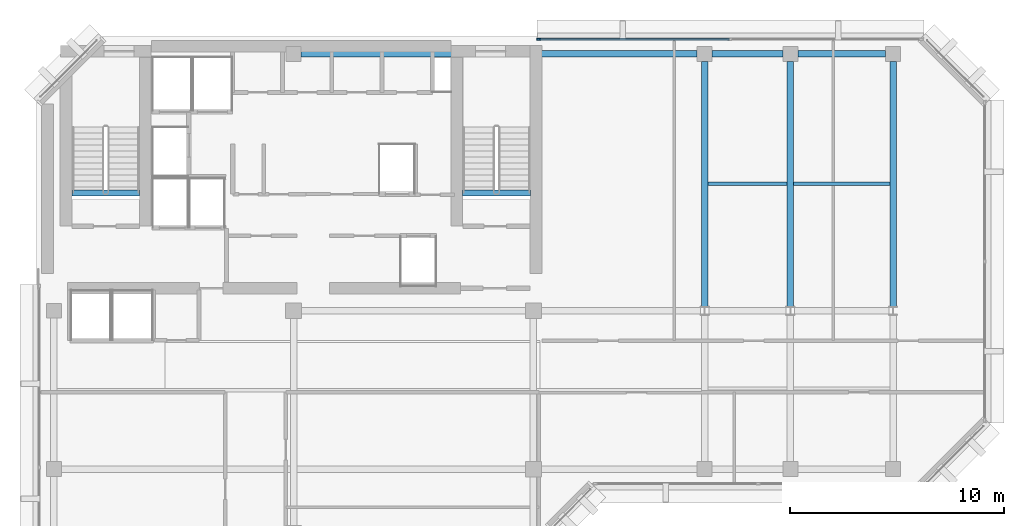
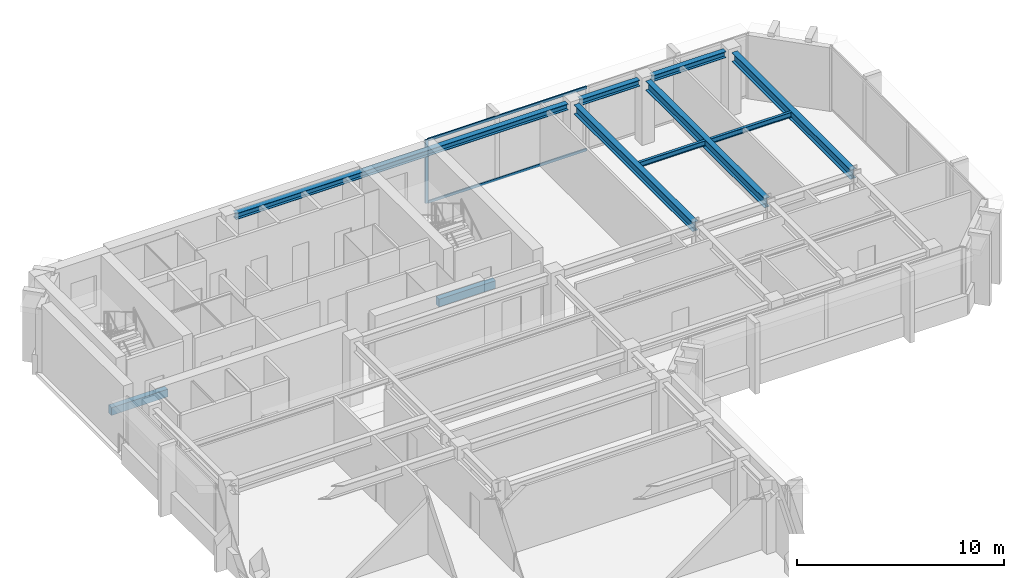
# One storey, part 4 of 11: 10 beams, 3 members, 1 element without a shape of its own.
"""IFC4 building model written with IfcOpenShell, lengths in metres."""

from ifc_helpers import new_model, si_unit, direction, frame, origin, origin_2d, place, context, subcontext, project, spatial, rectangle, i_section, extrude, material, layer, layer_set, material_profile, profile_set, type_object, element, aggregate, save


model = new_model("IFC4")

# Units and contexts
model_context = context("Model", 3, precision=1e-05, world=origin(), true_north=direction((0.0, 1.0)))
body_context = subcontext(model_context, "Body", "Model", "MODEL_VIEW")
ifc_project = project(units=[si_unit("LENGTHUNIT", "METRE"), si_unit("AREAUNIT", "SQUARE_METRE"), si_unit("VOLUMEUNIT", "CUBIC_METRE"), si_unit("PLANEANGLEUNIT", "RADIAN"), si_unit("MASSUNIT", "GRAM", prefix="KILO")], contexts=[model_context])

# Site, building, storey
site_placement = place(None, origin())
site = spatial("IfcSite", under=ifc_project, at=site_placement, CompositionType="ELEMENT")
building_placement = place(site_placement, origin())
building = spatial("IfcBuilding", under=site, at=building_placement, Name="Kefirva Bronze Tower", CompositionType="ELEMENT")
storey_placement = place(building_placement, frame((0.0, 0.0, 303.929931640625)))
storey = spatial("IfcBuildingStorey", under=building, at=storey_placement, Name="L74", CompositionType="ELEMENT", Elevation=303.929931640625)

# Curtain wall, members
ifc_material_1 = material(Name="Bronze anodised aluminium", Category="aluminium")
ifc_layer = layer(ifc_material_1, 0.179931640625, Name="Bronze anodised aluminium")
ifc_layer_set = layer_set([ifc_layer], Name="Bronze anodised aluminium")
curtain_wall_type = type_object("IfcCurtainWallType", Name="Unitised Bronze Ribbon Curtain Wall Zone 4", PredefinedType="USERDEFINED", material=ifc_layer_set)
curtain_wall_placement = place(storey_placement, origin())
curtain_wall = element("IfcCurtainWall", 1, at=curtain_wall_placement, inside=storey, type_object=curtain_wall_type, Name="L74 Curtain Wall 4", ObjectType="UNITISED CURTAIN WALL", PredefinedType="USERDEFINED")
ifc_material_profile_1 = material_profile(ifc_material_1, rectangle(XDim=0.074951171875, YDim=0.179931640625, at=origin_2d()), Name="ALU 75x180")
ifc_profile_set_1 = profile_set([ifc_material_profile_1], Name="Bronze anodised aluminium")
member_type_1 = type_object("IfcMemberType", Name="Bronze Mullion 75x180", PredefinedType="MULLION", material=ifc_profile_set_1)
member_1_placement = place(storey_placement, frame((23.4423828125, 45.8798828125, 0.0), z_axis=(0.0, 0.0, 1.0), x_axis=(0.0, -1.0, 0.0)))
member_1 = element("IfcMember", 2, at=member_1_placement, type_object=member_type_1, Name="CW-04 mullion 3", PredefinedType="MULLION", context=body_context, shape_type="SweptSolid", body=[
    extrude(rectangle(XDim=0.074951171875, YDim=0.179931640625, at=origin_2d()), origin(), (0.0, 0.0, 1.0), 3.739990234375),
])
ifc_material_profile_2 = material_profile(ifc_material_1, rectangle(XDim=0.074951171875, YDim=0.14990234375, at=origin_2d()), Name="ALU 75x150")
ifc_profile_set_2 = profile_set([ifc_material_profile_2], Name="Bronze anodised aluminium")
member_type_2 = type_object("IfcMemberType", Name="Bronze Transom 75x150", PredefinedType="USERDEFINED", material=ifc_profile_set_2)
member_2_placement = place(storey_placement, frame((32.33740234375, 45.8798828125, 0.03759765625), z_axis=(-1.0, 0.0, 0.0), x_axis=(0.0, -1.0, 0.0)))
member_2 = element("IfcMember", 3, at=member_2_placement, type_object=member_type_2, Name="CW-04 transom 2.1", ObjectType="TRANSOM", PredefinedType="USERDEFINED", context=body_context, shape_type="SweptSolid", body=[
    extrude(rectangle(XDim=0.074951171875, YDim=0.14990234375, at=origin_2d()), origin(), (0.0, 0.0, 1.0), 8.857421875),
])
member_3_placement = place(storey_placement, frame((32.33740234375, 45.8798828125, 3.70263671875), z_axis=(-1.0, 0.0, 0.0), x_axis=(0.0, -1.0, 0.0)))
member_3 = element("IfcMember", 4, at=member_3_placement, type_object=member_type_2, Name="CW-04 transom 2.2", ObjectType="TRANSOM", PredefinedType="USERDEFINED", context=body_context, shape_type="SweptSolid", body=[
    extrude(rectangle(XDim=0.074951171875, YDim=0.14990234375, at=origin_2d()), origin(), (0.0, 0.0, 1.0), 8.857421875),
])
aggregate(curtain_wall, [member_1, member_2, member_3])

# Beams
ifc_material_2 = material(Name="Concrete C50/60", Category="concrete")
ifc_material_profile_3 = material_profile(ifc_material_2, rectangle(XDim=0.300048828125, YDim=0.449951171875, at=origin_2d()), Name="RC 300x450")
ifc_profile_set_3 = profile_set([ifc_material_profile_3], Name="Concrete C50/60")
beam_type_1 = type_object("IfcBeamType", Name="RC Stair Trimmer Beam 300x450", PredefinedType="BEAM", material=ifc_profile_set_3)
beam_1_placement = place(storey_placement, frame((1.64501953125, 38.699951171875, -0.224853515625), z_axis=(1.0, 0.0, 0.0), x_axis=(0.0, 1.0, 0.0)))
element("IfcBeam", 5, at=beam_1_placement, inside=storey, type_object=beam_type_1, Name="L74 Stair 1 Landing Trimmer Beam", PredefinedType="BEAM", context=body_context, shape_type="SweptSolid", body=[
    extrude(rectangle(XDim=0.300048828125, YDim=0.449951171875, at=origin_2d()), origin(), (0.0, 0.0, 1.0), 3.14990234375),
])
beam_2_placement = place(storey_placement, frame((19.89501953125, 38.699951171875, -0.224853515625), z_axis=(1.0, 0.0, 0.0), x_axis=(0.0, 1.0, 0.0)))
element("IfcBeam", 6, at=beam_2_placement, inside=storey, type_object=beam_type_1, Name="L74 Stair 2 Landing Trimmer Beam", PredefinedType="BEAM", context=body_context, shape_type="SweptSolid", body=[
    extrude(rectangle(XDim=0.300048828125, YDim=0.449951171875, at=origin_2d()), origin(), (0.0, 0.0, 1.0), 3.159912109375),
])
ifc_material_3 = material(Name="Steel S355", Category="steel")
ifc_material_profile_4 = material_profile(ifc_material_3, i_section(OverallWidth=0.14990234375, OverallDepth=0.300048828125, WebThickness=0.007080078125, FlangeThickness=0.0107421875, at=origin_2d()), Name="IPE 300")
ifc_profile_set_4 = profile_set([ifc_material_profile_4], Name="Steel S355")
beam_type_2 = type_object("IfcBeamType", Name="Steel Floor Joist IPE 300", PredefinedType="JOIST", material=ifc_profile_set_4)
beam_3_placement = place(storey_placement, frame((31.35009765625, 39.12890625, 3.590087890625), z_axis=(1.0, 0.0, 0.0), x_axis=(0.0, 1.0, 0.0)))
element("IfcBeam", 7, at=beam_3_placement, inside=storey, type_object=beam_type_2, Name="L74 JST-L74-31-391", PredefinedType="JOIST", context=body_context, shape_type="SweptSolid", body=[
    extrude(i_section(OverallWidth=0.14990234375, OverallDepth=0.300048828125, WebThickness=0.007080078125, FlangeThickness=0.0107421875, at=origin_2d()), origin(), (0.0, 0.0, 1.0), 3.699951171875),
])
beam_4_placement = place(storey_placement, frame((35.35009765625, 39.12890625, 3.590087890625), z_axis=(1.0, 0.0, 0.0), x_axis=(0.0, 1.0, 0.0)))
element("IfcBeam", 8, at=beam_4_placement, inside=storey, type_object=beam_type_2, Name="L74 JST-L74-35-391", PredefinedType="JOIST", context=body_context, shape_type="SweptSolid", body=[
    extrude(i_section(OverallWidth=0.14990234375, OverallDepth=0.300048828125, WebThickness=0.007080078125, FlangeThickness=0.0107421875, at=origin_2d()), origin(), (0.0, 0.0, 1.0), 4.5),
])
ifc_material_profile_5 = material_profile(ifc_material_3, i_section(OverallWidth=0.300048828125, OverallDepth=0.550048828125, WebThickness=0.014892578125, FlangeThickness=0.029052734375, at=origin_2d()), Name="HEB 550")
ifc_profile_set_5 = profile_set([ifc_material_profile_5], Name="Steel S355")
beam_type_3 = type_object("IfcBeamType", Name="Steel Girder HEB 550", PredefinedType="USERDEFINED", material=ifc_profile_set_5)
for number, where, z_axis, x_axis, name in (
    (9, (31.199951171875, 33.407958984375, 3.465087890625), (0.0, 1.0, 0.0), (-1.0, 0.0, 0.0), "L74 BM-L74-NS-312-33"),
    (10, (35.199951171875, 33.407958984375, 3.465087890625), (0.0, 1.0, 0.0), (-1.0, 0.0, 0.0), "L74 BM-L74-NS-352-33"),
    (11, (40.0, 33.407958984375, 3.465087890625), (0.0, 1.0, 0.0), (-1.0, 0.0, 0.0), "L74 BM-L74-NS-400-33"),
):
    element("IfcBeam", number, at=place(storey_placement, frame(where, z_axis=z_axis, x_axis=x_axis)), inside=storey, type_object=beam_type_3, Name=name, ObjectType="GIRDER", PredefinedType="USERDEFINED", context=body_context, shape_type="SweptSolid", body=[
        extrude(i_section(OverallWidth=0.300048828125, OverallDepth=0.550048828125, WebThickness=0.014892578125, FlangeThickness=0.029052734375, at=origin_2d()), origin(), (0.0, 0.0, 1.0), 11.442138671875),
    ])
ifc_material_profile_6 = material_profile(ifc_material_3, i_section(OverallWidth=0.300048828125, OverallDepth=0.360107421875, WebThickness=0.012451171875, FlangeThickness=0.0224609375, at=origin_2d()), Name="HEB 360")
ifc_profile_set_6 = profile_set([ifc_material_profile_6], Name="Steel S355")
beam_type_4 = type_object("IfcBeamType", Name="Steel Spandrel HEB 360 Ext", PredefinedType="SPANDREL", material=ifc_profile_set_6)
beam_5_placement = place(storey_placement, frame((12.35009765625, 45.199951171875, 3.56005859375), z_axis=(1.0, 0.0, 0.0), x_axis=(0.0, 1.0, 0.0)))
element("IfcBeam", 12, at=beam_5_placement, inside=storey, type_object=beam_type_4, Name="L74 BM-L74-EW-12-452", PredefinedType="SPANDREL", context=body_context, shape_type="SweptSolid", body=[
    extrude(i_section(OverallWidth=0.300048828125, OverallDepth=0.360107421875, WebThickness=0.012451171875, FlangeThickness=0.0224609375, at=origin_2d()), origin(), (0.0, 0.0, 1.0), 18.5),
])
beam_6_placement = place(storey_placement, frame((31.550048828125, 45.199951171875, 3.56005859375), z_axis=(1.0, 0.0, 0.0), x_axis=(0.0, 1.0, 0.0)))
element("IfcBeam", 13, at=beam_6_placement, inside=storey, type_object=beam_type_4, Name="L74 BM-L74-EW-31-452", PredefinedType="SPANDREL", context=body_context, shape_type="SweptSolid", body=[
    extrude(i_section(OverallWidth=0.300048828125, OverallDepth=0.360107421875, WebThickness=0.012451171875, FlangeThickness=0.0224609375, at=origin_2d()), origin(), (0.0, 0.0, 1.0), 3.300048828125),
])
beam_7_placement = place(storey_placement, frame((35.550048828125, 45.199951171875, 3.56005859375), z_axis=(1.0, 0.0, 0.0), x_axis=(0.0, 1.0, 0.0)))
element("IfcBeam", 14, at=beam_7_placement, inside=storey, type_object=beam_type_4, Name="L74 BM-L74-EW-35-452", PredefinedType="SPANDREL", context=body_context, shape_type="SweptSolid", body=[
    extrude(i_section(OverallWidth=0.300048828125, OverallDepth=0.360107421875, WebThickness=0.012451171875, FlangeThickness=0.0224609375, at=origin_2d()), origin(), (0.0, 0.0, 1.0), 4.099853515625),
])

save(model, "model.ifc")
